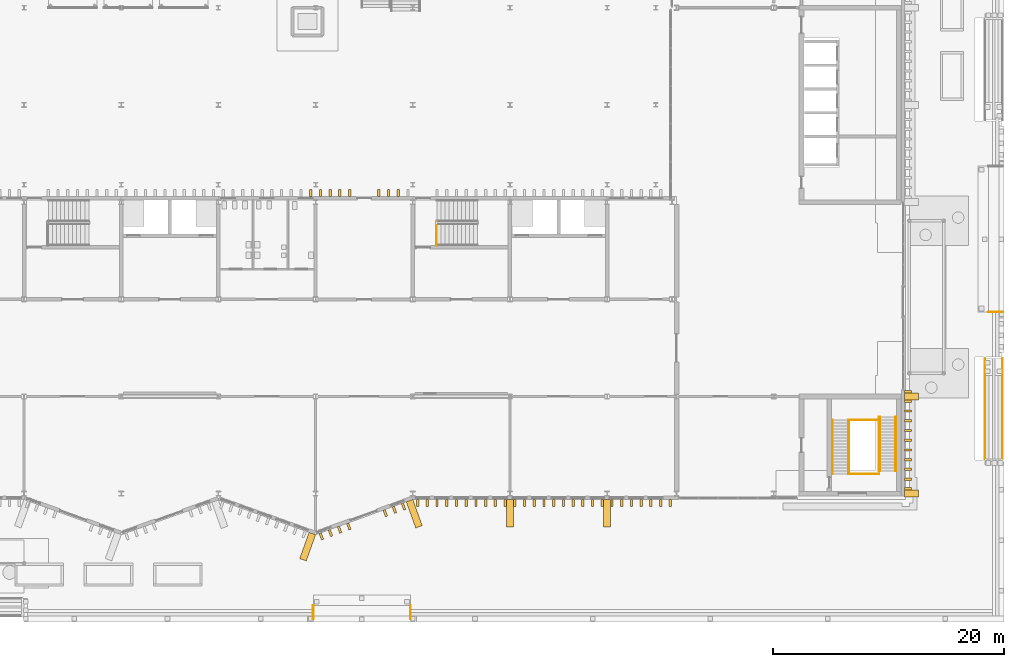
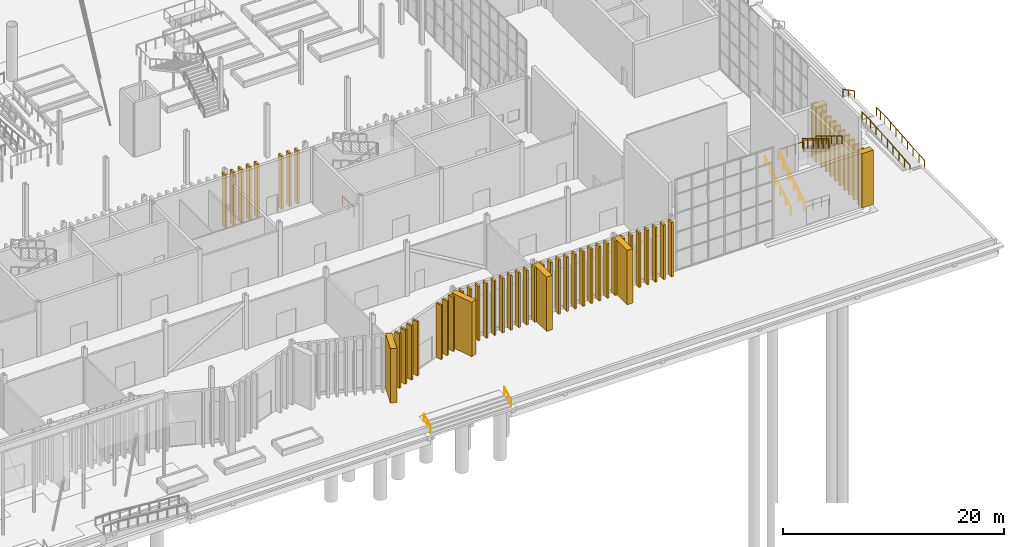
# One storey, part 99 of 108: 59 coverings, 14 railings.
"""IFC4 building model written with IfcOpenShell, lengths in metres."""

from ifc_helpers import new_model, si_unit, direction, frame, origin, origin_2d, place, context, subcontext, project, spatial, rectangle, circle, extrude, material, type_object, element, save


model = new_model("IFC4")

# Units and contexts
model_context = context("Model", 3, precision=1e-05, world=origin(), true_north=direction((0.0, 1.0)))
body_context = subcontext(model_context, "Body", "Model", "MODEL_VIEW")
ifc_project = project(units=[si_unit("LENGTHUNIT", "METRE"), si_unit("AREAUNIT", "SQUARE_METRE"), si_unit("VOLUMEUNIT", "CUBIC_METRE"), si_unit("PLANEANGLEUNIT", "RADIAN"), si_unit("MASSUNIT", "GRAM", prefix="KILO")], contexts=[model_context])

# Site, building, storey
site_placement = place(None, origin())
site = spatial("IfcSite", under=ifc_project, at=site_placement, CompositionType="ELEMENT")
building_placement = place(site_placement, origin())
building = spatial("IfcBuilding", under=site, at=building_placement, Name="Cresset Court Congress Hotel", CompositionType="ELEMENT")
storey_placement = place(building_placement, origin())
storey = spatial("IfcBuildingStorey", under=building, at=storey_placement, Name="L00", CompositionType="ELEMENT", Elevation=0.0)

# Railings
ifc_material_1 = material(Name="Steel and laminated glass", Category="steel")
railing_type_1 = type_object("IfcRailingType", Name="Guard 1100 steel and glass", PredefinedType="GUARDRAIL", material=ifc_material_1)
railing_1_placement = place(storey_placement, frame((136.449951171875, 21.449951171875, 0.0)))
element("IfcRailing", 1, at=railing_1_placement, inside=storey, type_object=railing_type_1, Name="L00 ST-B5 stair guard 9", PredefinedType="GUARDRAIL", context=body_context, shape_type="SweptSolid", body=[
    extrude(circle(Radius=0.02392578125, at=origin_2d()), frame((0.0, 0.0, 1.076171875), z_axis=(0.0, 1.0, 0.0), x_axis=(-1.0, 0.0, 0.0)), (0.0, 0.0, 1.0), 2.050048828125),
    extrude(circle(Radius=0.02099609375, at=origin_2d()), origin(), (0.0, 0.0, 1.0), 1.052001953125),
    extrude(circle(Radius=0.02099609375, at=origin_2d()), frame((0.0, 1.02490234375, 0.0)), (0.0, 0.0, 1.0), 1.052001953125),
    extrude(circle(Radius=0.02099609375, at=origin_2d()), frame((0.0, 2.050048828125, 0.0)), (0.0, 0.0, 1.0), 1.052001953125),
])
ifc_material_2 = material(Name="Stainless steel", Category="steel")
railing_type_2 = type_object("IfcRailingType", Name="Handrail 900 steel", PredefinedType="HANDRAIL", material=ifc_material_2)
for number, where, name in (
    (2, (125.800048828125, -10.85009765625, -0.60009765625), "Handrail S03L"),
    (3, (134.199951171875, -10.85009765625, -0.60009765625), "Handrail S03R"),
):
    element("IfcRailing", number, at=place(storey_placement, frame(where)), inside=storey, type_object=railing_type_2, Name=name, PredefinedType="HANDRAIL", context=body_context, shape_type="SweptSolid", body=[
        extrude(circle(Radius=0.02490234375, at=origin_2d()), frame((0.0, 0.0, 0.875), z_axis=(0.0, 0.894427191, 0.4472135955), x_axis=(-1.0, 0.0, 0.0)), (0.0, 0.0, 1.0), 1.341796875),
        extrude(circle(Radius=0.02001953125, at=origin_2d()), origin(), (0.0, 0.0, 1.0), 0.849853515625),
        extrude(circle(Radius=0.02001953125, at=origin_2d()), frame((0.0, 0.60009765625, 0.300048828125)), (0.0, 0.0, 1.0), 0.849853515625),
        extrude(circle(Radius=0.02001953125, at=origin_2d()), frame((0.0, 1.2001953125, 0.60009765625)), (0.0, 0.0, 1.0), 0.849853515625),
    ])
railing_2_placement = place(storey_placement, frame((185.35009765625, 15.699951171875, -0.60009765625)))
element("IfcRailing", 4, at=railing_2_placement, inside=storey, type_object=railing_type_2, Name="Handrail E01L", PredefinedType="HANDRAIL", context=body_context, shape_type="SweptSolid", body=[
    extrude(circle(Radius=0.02490234375, at=origin_2d()), frame((0.0, 0.0, 0.875), z_axis=(-0.894427191, 0.0, 0.4472135955), x_axis=(0.0, -1.0, 0.0)), (0.0, 0.0, 1.0), 1.341796875),
    extrude(circle(Radius=0.02001953125, at=origin_2d()), origin(), (0.0, 0.0, 1.0), 0.849853515625),
    extrude(circle(Radius=0.02001953125, at=origin_2d()), frame((-0.60009765625, 0.0, 0.300048828125)), (0.0, 0.0, 1.0), 0.849853515625),
    extrude(circle(Radius=0.02001953125, at=origin_2d()), frame((-1.2001953125, 0.0, 0.60009765625)), (0.0, 0.0, 1.0), 0.849853515625),
])
for number, where, name in (
    (5, (183.85009765625, 3.0, -0.60009765625), "Ramp handrail E01L"),
    (6, (185.35009765625, 3.0, -0.60009765625), "Ramp handrail E01R"),
):
    element("IfcRailing", number, at=place(storey_placement, frame(where)), inside=storey, type_object=railing_type_2, Name=name, PredefinedType="HANDRAIL", context=body_context, shape_type="SweptSolid", body=[
        extrude(circle(Radius=0.02490234375, at=origin_2d()), frame((0.0, 0.0, 0.875), z_axis=(0.0, 0.996544592923, 0.083059462528), x_axis=(-1.0, 0.0, 0.0)), (0.0, 0.0, 1.0), 7.224853515625),
        extrude(circle(Radius=0.02490234375, at=origin_2d()), frame((0.0, 7.199951171875, 1.47509765625), z_axis=(0.0, 1.0, 0.0), x_axis=(-1.0, 0.0, 0.0)), (0.0, 0.0, 1.0), 1.5),
        extrude(circle(Radius=0.02001953125, at=origin_2d()), origin(), (0.0, 0.0, 1.0), 0.849853515625),
        extrude(circle(Radius=0.02001953125, at=origin_2d()), frame((0.0, 1.028564453125, 0.085693359375)), (0.0, 0.0, 1.0), 0.849853515625),
        extrude(circle(Radius=0.02001953125, at=origin_2d()), frame((0.0, 2.05712890625, 0.17138671875)), (0.0, 0.0, 1.0), 0.849853515625),
        extrude(circle(Radius=0.02001953125, at=origin_2d()), frame((0.0, 3.085693359375, 0.257080078125)), (0.0, 0.0, 1.0), 0.849853515625),
        extrude(circle(Radius=0.02001953125, at=origin_2d()), frame((0.0, 4.1142578125, 0.343017578125)), (0.0, 0.0, 1.0), 0.849853515625),
        extrude(circle(Radius=0.02001953125, at=origin_2d()), frame((0.0, 5.142822265625, 0.4287109375)), (0.0, 0.0, 1.0), 0.849853515625),
        extrude(circle(Radius=0.02001953125, at=origin_2d()), frame((0.0, 6.17138671875, 0.514404296875)), (0.0, 0.0, 1.0), 0.849853515625),
        extrude(circle(Radius=0.02001953125, at=origin_2d()), frame((0.0, 7.199951171875, 0.60009765625)), (0.0, 0.0, 1.0), 0.849853515625),
        extrude(circle(Radius=0.02001953125, at=origin_2d()), frame((0.0, 7.949951171875, 0.60009765625)), (0.0, 0.0, 1.0), 0.849853515625),
        extrude(circle(Radius=0.02001953125, at=origin_2d()), frame((0.0, 8.699951171875, 0.60009765625)), (0.0, 0.0, 1.0), 0.849853515625),
    ])

# Coverings
ifc_material_3 = material(Name="Precast concrete C50", Category="concrete")
covering_type_1 = type_object("IfcCoveringType", Name="Precast stone fin 200x600", PredefinedType="CLADDING", material=ifc_material_3)
for number, where, z_axis, x_axis, name in (
    (7, (177.199951171875, 0.419921875, 0.0), (0.0, 0.0, 1.0), (1.0, 0.0, 0.0), "Fin E001"),
    (8, (177.199951171875, 1.260009765625, 0.0), (0.0, 0.0, 1.0), (1.0, 0.0, 0.0), "Fin E002"),
    (9, (177.199951171875, 2.10009765625, 0.0), (0.0, 0.0, 1.0), (1.0, 0.0, 0.0), "Fin E003"),
    (10, (177.199951171875, 2.93994140625, 0.0), (0.0, 0.0, 1.0), (1.0, 0.0, 0.0), "Fin E004"),
    (11, (177.199951171875, 3.780029296875, 0.0), (0.0, 0.0, 1.0), (1.0, 0.0, 0.0), "Fin E005"),
    (12, (177.199951171875, 4.6201171875, 0.0), (0.0, 0.0, 1.0), (1.0, 0.0, 0.0), "Fin E006"),
    (13, (177.199951171875, 5.4599609375, 0.0), (0.0, 0.0, 1.0), (1.0, 0.0, 0.0), "Fin E007"),
    (14, (177.199951171875, 6.300048828125, 0.0), (0.0, 0.0, 1.0), (1.0, 0.0, 0.0), "Fin E008"),
    (15, (177.199951171875, 7.139892578125, 0.0), (0.0, 0.0, 1.0), (1.0, 0.0, 0.0), "Fin E009"),
    (16, (177.199951171875, 7.97998046875, 0.0), (0.0, 0.0, 1.0), (1.0, 0.0, 0.0), "Fin E010"),
    (17, (177.199951171875, 8.820068359375, 0.0), (0.0, 0.0, 1.0), (1.0, 0.0, 0.0), "Fin E011"),
):
    element("IfcCovering", number, at=place(storey_placement, frame(where, z_axis=z_axis, x_axis=x_axis)), inside=storey, type_object=covering_type_1, Name=name, PredefinedType="CLADDING", context=body_context, shape_type="SweptSolid", body=[
        extrude(rectangle(XDim=0.60009765625, YDim=0.199951171875, at=origin_2d()), origin(), (0.0, 0.0, 1.0), 6.0),
    ])
ifc_material_4 = material(Name="Precast concrete C50", Category="concrete")
covering_type_2 = type_object("IfcCoveringType", Name="Precast stone fin 200x600 variant 1", PredefinedType="CLADDING", material=ifc_material_4)
for number, where, z_axis, x_axis, name in (
    (18, (126.4970703125, -3.688720703125, 0.0), (0.0, 0.0, 1.0), (0.939956783309, 0.341293488819, 0.0), "Fin S00-140"),
    (19, (127.28662109375, -3.40185546875, 0.0), (0.0, 0.0, 1.0), (0.939956783309, 0.341293488819, 0.0), "Fin S00-141"),
    (20, (128.076416015625, -3.115234375, 0.0), (0.0, 0.0, 1.0), (0.939956783309, 0.341293488819, 0.0), "Fin S00-142"),
    (21, (128.865966796875, -2.82861328125, 0.0), (0.0, 0.0, 1.0), (0.939956783309, 0.341293488819, 0.0), "Fin S00-143"),
    (22, (132.024169921875, -1.681884765625, 0.0), (0.0, 0.0, 1.0), (0.939956783309, 0.341293488819, 0.0), "Fin S00-147"),
    (23, (132.813720703125, -1.395263671875, 0.0), (0.0, 0.0, 1.0), (0.939956783309, 0.341293488819, 0.0), "Fin S00-148"),
    (24, (133.603271484375, -1.1083984375, 0.0), (0.0, 0.0, 1.0), (0.939956783309, 0.341293488819, 0.0), "Fin S00-149"),
    (25, (134.820068359375, -0.800048828125, 0.0), (0.0, 0.0, 1.0), (1.0, 0.0, 0.0), "Fin S00-150"),
    (26, (135.659912109375, -0.800048828125, 0.0), (0.0, 0.0, 1.0), (1.0, 0.0, 0.0), "Fin S00-151"),
    (27, (136.5, -0.800048828125, 0.0), (0.0, 0.0, 1.0), (1.0, 0.0, 0.0), "Fin S00-152"),
    (28, (137.340087890625, -0.800048828125, 0.0), (0.0, 0.0, 1.0), (1.0, 0.0, 0.0), "Fin S00-153"),
    (29, (138.179931640625, -0.800048828125, 0.0), (0.0, 0.0, 1.0), (1.0, 0.0, 0.0), "Fin S00-154"),
    (30, (139.02001953125, -0.800048828125, 0.0), (0.0, 0.0, 1.0), (1.0, 0.0, 0.0), "Fin S00-155"),
    (31, (139.860107421875, -0.800048828125, 0.0), (0.0, 0.0, 1.0), (1.0, 0.0, 0.0), "Fin S00-156"),
    (32, (140.699951171875, -0.800048828125, 0.0), (0.0, 0.0, 1.0), (1.0, 0.0, 0.0), "Fin S00-157"),
    (33, (141.5400390625, -0.800048828125, 0.0), (0.0, 0.0, 1.0), (1.0, 0.0, 0.0), "Fin S00-158"),
    (34, (142.3798828125, -0.800048828125, 0.0), (0.0, 0.0, 1.0), (1.0, 0.0, 0.0), "Fin S00-159"),
    (35, (143.219970703125, -0.800048828125, 0.0), (0.0, 0.0, 1.0), (1.0, 0.0, 0.0), "Fin S00-160"),
    (36, (144.06005859375, -0.800048828125, 0.0), (0.0, 0.0, 1.0), (1.0, 0.0, 0.0), "Fin S00-161"),
    (37, (144.89990234375, -0.800048828125, 0.0), (0.0, 0.0, 1.0), (1.0, 0.0, 0.0), "Fin S00-162"),
    (38, (145.739990234375, -0.800048828125, 0.0), (0.0, 0.0, 1.0), (1.0, 0.0, 0.0), "Fin S00-163"),
    (39, (146.580078125, -0.800048828125, 0.0), (0.0, 0.0, 1.0), (1.0, 0.0, 0.0), "Fin S00-164"),
    (40, (147.419921875, -0.800048828125, 0.0), (0.0, 0.0, 1.0), (1.0, 0.0, 0.0), "Fin S00-165"),
    (41, (148.260009765625, -0.800048828125, 0.0), (0.0, 0.0, 1.0), (1.0, 0.0, 0.0), "Fin S00-166"),
    (42, (149.10009765625, -0.800048828125, 0.0), (0.0, 0.0, 1.0), (1.0, 0.0, 0.0), "Fin S00-167"),
    (43, (149.93994140625, -0.800048828125, 0.0), (0.0, 0.0, 1.0), (1.0, 0.0, 0.0), "Fin S00-168"),
    (44, (150.780029296875, -0.800048828125, 0.0), (0.0, 0.0, 1.0), (1.0, 0.0, 0.0), "Fin S00-169"),
    (45, (151.6201171875, -0.800048828125, 0.0), (0.0, 0.0, 1.0), (1.0, 0.0, 0.0), "Fin S00-170"),
    (46, (152.4599609375, -0.800048828125, 0.0), (0.0, 0.0, 1.0), (1.0, 0.0, 0.0), "Fin S00-171"),
    (47, (153.300048828125, -0.800048828125, 0.0), (0.0, 0.0, 1.0), (1.0, 0.0, 0.0), "Fin S00-172"),
    (48, (154.139892578125, -0.800048828125, 0.0), (0.0, 0.0, 1.0), (1.0, 0.0, 0.0), "Fin S00-173"),
    (49, (154.97998046875, -0.800048828125, 0.0), (0.0, 0.0, 1.0), (1.0, 0.0, 0.0), "Fin S00-174"),
    (50, (155.820068359375, -0.800048828125, 0.0), (0.0, 0.0, 1.0), (1.0, 0.0, 0.0), "Fin S00-175"),
    (51, (156.659912109375, -0.800048828125, 0.0), (0.0, 0.0, 1.0), (1.0, 0.0, 0.0), "Fin S00-176"),
):
    element("IfcCovering", number, at=place(storey_placement, frame(where, z_axis=z_axis, x_axis=x_axis)), inside=storey, type_object=covering_type_2, Name=name, PredefinedType="CLADDING", context=body_context, shape_type="SweptSolid", body=[
        extrude(rectangle(XDim=0.199951171875, YDim=0.60009765625, at=origin_2d()), origin(), (0.0, 0.0, 1.0), 6.0),
    ])
for number, where, z_axis, x_axis, name in (
    (52, (125.580078125, 26.0, 0.0), (0.0, 0.0, 1.0), (1.0, 0.0, 0.0), "Fin N00-139"),
    (53, (126.419921875, 26.0, 0.0), (0.0, 0.0, 1.0), (1.0, 0.0, 0.0), "Fin N00-140"),
    (54, (127.260009765625, 26.0, 0.0), (0.0, 0.0, 1.0), (1.0, 0.0, 0.0), "Fin N00-141"),
    (55, (128.10009765625, 26.0, 0.0), (0.0, 0.0, 1.0), (1.0, 0.0, 0.0), "Fin N00-142"),
    (56, (128.93994140625, 26.0, 0.0), (0.0, 0.0, 1.0), (1.0, 0.0, 0.0), "Fin N00-143"),
    (57, (131.4599609375, 26.0, 0.0), (0.0, 0.0, 1.0), (1.0, 0.0, 0.0), "Fin N00-146"),
    (58, (132.300048828125, 26.0, 0.0), (0.0, 0.0, 1.0), (1.0, 0.0, 0.0), "Fin N00-147"),
    (59, (133.139892578125, 26.0, 0.0), (0.0, 0.0, 1.0), (1.0, 0.0, 0.0), "Fin N00-148"),
):
    element("IfcCovering", number, at=place(storey_placement, frame(where, z_axis=z_axis, x_axis=x_axis)), inside=storey, type_object=covering_type_2, Name=name, PredefinedType="CLADDING", context=body_context, shape_type="SweptSolid", body=[
        extrude(rectangle(XDim=0.199951171875, YDim=0.60009765625, at=origin_2d()), origin(), (0.0, 0.0, 1.0), 5.85009765625),
    ])
ifc_material_5 = material(Name="Precast concrete C50", Category="concrete")
covering_type_3 = type_object("IfcCoveringType", Name="Precast stone pier 600x1200", PredefinedType="CLADDING", material=ifc_material_5)
for number, where, z_axis, x_axis, name in (
    (60, (177.5, 0.0, 0.0), (0.0, 0.0, 1.0), (1.0, 0.0, 0.0), "Pier E01"),
    (61, (177.5, 8.39990234375, 0.0), (0.0, 0.0, 1.0), (1.0, 0.0, 0.0), "Pier E02"),
):
    element("IfcCovering", number, at=place(storey_placement, frame(where, z_axis=z_axis, x_axis=x_axis)), inside=storey, type_object=covering_type_3, Name=name, PredefinedType="CLADDING", context=body_context, shape_type="SweptSolid", body=[
        extrude(rectangle(XDim=1.199951171875, YDim=0.60009765625, at=origin_2d()), origin(), (0.0, 0.0, 1.0), 6.0),
    ])
ifc_material_6 = material(Name="Precast concrete C50", Category="concrete")
covering_type_4 = type_object("IfcCoveringType", Name="Precast stone pier 600x2400", PredefinedType="CLADDING", material=ifc_material_6)
for number, where, z_axis, x_axis, name in (
    (62, (125.31396484375, -4.5791015625, 0.0), (0.0, 0.0, 1.0), (0.94174205282, -0.336336001568, 0.0), "Pier S00-14"),
    (63, (134.527587890625, -1.730224609375, 0.0), (0.0, 0.0, 1.0), (0.939956783309, 0.341293488819, 0.0), "Pier S00-15"),
    (64, (142.800048828125, -1.699951171875, 0.0), (0.0, 0.0, 1.0), (1.0, 0.0, 0.0), "Pier S00-16"),
    (65, (151.199951171875, -1.699951171875, 0.0), (0.0, 0.0, 1.0), (1.0, 0.0, 0.0), "Pier S00-17"),
):
    element("IfcCovering", number, at=place(storey_placement, frame(where, z_axis=z_axis, x_axis=x_axis)), inside=storey, type_object=covering_type_4, Name=name, PredefinedType="CLADDING", context=body_context, shape_type="SweptSolid", body=[
        extrude(rectangle(XDim=0.60009765625, YDim=2.39990234375, at=origin_2d()), origin(), (0.0, 0.0, 1.0), 6.0),
    ])

# Railings
ifc_material_7 = material(Name="Stainless steel", Category="steel")
railing_type_3 = type_object("IfcRailingType", Name="Stair guard 1100", PredefinedType="GUARDRAIL", material=ifc_material_7)
railing_3_placement = place(storey_placement, frame((172.10009765625, 1.699951171875, 0.157958984375)))
element("IfcRailing", 66, at=railing_3_placement, inside=storey, type_object=railing_type_3, Name="Guard A1 L00", PredefinedType="GUARDRAIL", context=body_context, shape_type="SweptSolid", body=[
    extrude(circle(Radius=0.02392578125, at=origin_2d()), frame((0.0, 0.0, 1.076171875), z_axis=(0.0, 0.854734527071, 0.519065398802), x_axis=(-1.0, 0.0, 0.0)), (0.0, 0.0, 1.0), 5.475341796875),
    extrude(circle(Radius=0.02099609375, at=origin_2d()), origin(), (0.0, 0.0, 1.0), 1.052001953125),
    extrude(circle(Radius=0.02099609375, at=origin_2d()), frame((0.0, 0.93603515625, 0.568359375)), (0.0, 0.0, 1.0), 1.052001953125),
    extrude(circle(Radius=0.02099609375, at=origin_2d()), frame((0.0, 1.8720703125, 1.13671875)), (0.0, 0.0, 1.0), 1.052001953125),
    extrude(circle(Radius=0.02099609375, at=origin_2d()), frame((0.0, 2.807861328125, 1.705322265625)), (0.0, 0.0, 1.0), 1.052001953125),
    extrude(circle(Radius=0.02099609375, at=origin_2d()), frame((0.0, 3.743896484375, 2.273681640625)), (0.0, 0.0, 1.0), 1.052001953125),
    extrude(circle(Radius=0.02099609375, at=origin_2d()), frame((0.0, 4.679931640625, 2.842041015625)), (0.0, 0.0, 1.0), 1.052001953125),
])
railing_4_placement = place(storey_placement, frame((174.699951171875, 6.639892578125, 3.157958984375)))
element("IfcRailing", 67, at=railing_4_placement, inside=storey, type_object=railing_type_3, Name="Guard A1 L00", PredefinedType="GUARDRAIL", context=body_context, shape_type="SweptSolid", body=[
    extrude(circle(Radius=0.02392578125, at=origin_2d()), frame((0.0, 0.0, 1.076171875), z_axis=(0.0, -0.854734527071, 0.519065398802), x_axis=(1.0, 0.0, 0.0)), (0.0, 0.0, 1.0), 5.475341796875),
    extrude(circle(Radius=0.02099609375, at=origin_2d()), origin(), (0.0, 0.0, 1.0), 1.052001953125),
    extrude(circle(Radius=0.02099609375, at=origin_2d()), frame((0.0, -0.93603515625, 0.568359375)), (0.0, 0.0, 1.0), 1.052001953125),
    extrude(circle(Radius=0.02099609375, at=origin_2d()), frame((0.0, -1.8720703125, 1.13671875)), (0.0, 0.0, 1.0), 1.052001953125),
    extrude(circle(Radius=0.02099609375, at=origin_2d()), frame((0.0, -2.807861328125, 1.705322265625)), (0.0, 0.0, 1.0), 1.052001953125),
    extrude(circle(Radius=0.02099609375, at=origin_2d()), frame((0.0, -3.743896484375, 2.273681640625)), (0.0, 0.0, 1.0), 1.052001953125),
    extrude(circle(Radius=0.02099609375, at=origin_2d()), frame((0.0, -4.679931640625, 2.842041015625)), (0.0, 0.0, 1.0), 1.052001953125),
])
for number, where, name in (
    (68, (172.10009765625, 1.699951171875, 0.0), "Guard A1 L00"),
    (69, (172.10009765625, 6.3798828125, 3.0), "Guard A1 L00"),
):
    element("IfcRailing", number, at=place(storey_placement, frame(where)), inside=storey, type_object=railing_type_3, Name=name, PredefinedType="GUARDRAIL", context=body_context, shape_type="SweptSolid", body=[
        extrude(circle(Radius=0.02392578125, at=origin_2d()), frame((0.0, 0.0, 1.076171875), z_axis=(1.0, 0.0, 0.0), x_axis=(0.0, 1.0, 0.0)), (0.0, 0.0, 1.0), 2.599853515625),
        extrude(circle(Radius=0.02099609375, at=origin_2d()), origin(), (0.0, 0.0, 1.0), 1.052001953125),
        extrude(circle(Radius=0.02099609375, at=origin_2d()), frame((0.86669921875, 0.0, 0.0)), (0.0, 0.0, 1.0), 1.052001953125),
        extrude(circle(Radius=0.02099609375, at=origin_2d()), frame((1.733154296875, 0.0, 0.0)), (0.0, 0.0, 1.0), 1.052001953125),
        extrude(circle(Radius=0.02099609375, at=origin_2d()), frame((2.599853515625, 0.0, 0.0)), (0.0, 0.0, 1.0), 1.052001953125),
    ])
ifc_material_8 = material(Name="Stainless steel", Category="steel")
railing_type_4 = type_object("IfcRailingType", Name="Stair handrail 900", PredefinedType="HANDRAIL", material=ifc_material_8)
for number, where, name in (
    (70, (170.659912109375, 1.699951171875, 0.157958984375), "Handrail A1 L00"),
    (71, (172.0400390625, 1.699951171875, 0.157958984375), "Handrail A1 L00"),
):
    element("IfcRailing", number, at=place(storey_placement, frame(where)), inside=storey, type_object=railing_type_4, Name=name, PredefinedType="HANDRAIL", context=body_context, shape_type="SweptSolid", body=[
        extrude(circle(Radius=0.02392578125, at=origin_2d()), frame((0.0, 0.0, 0.8759765625), z_axis=(0.0, 0.854734527071, 0.519065398802), x_axis=(-1.0, 0.0, 0.0)), (0.0, 0.0, 1.0), 5.475341796875),
        extrude(circle(Radius=0.02099609375, at=origin_2d()), origin(), (0.0, 0.0, 1.0), 0.851806640625),
        extrude(circle(Radius=0.02099609375, at=origin_2d()), frame((0.0, 0.93603515625, 0.568359375)), (0.0, 0.0, 1.0), 0.851806640625),
        extrude(circle(Radius=0.02099609375, at=origin_2d()), frame((0.0, 1.8720703125, 1.13671875)), (0.0, 0.0, 1.0), 0.851806640625),
        extrude(circle(Radius=0.02099609375, at=origin_2d()), frame((0.0, 2.807861328125, 1.705322265625)), (0.0, 0.0, 1.0), 0.851806640625),
        extrude(circle(Radius=0.02099609375, at=origin_2d()), frame((0.0, 3.743896484375, 2.273681640625)), (0.0, 0.0, 1.0), 0.851806640625),
        extrude(circle(Radius=0.02099609375, at=origin_2d()), frame((0.0, 4.679931640625, 2.842041015625)), (0.0, 0.0, 1.0), 0.851806640625),
    ])
for number, where, name in (
    (72, (174.760009765625, 6.639892578125, 3.157958984375), "Handrail A1 L00"),
    (73, (176.139892578125, 6.639892578125, 3.157958984375), "Handrail A1 L00"),
):
    element("IfcRailing", number, at=place(storey_placement, frame(where)), inside=storey, type_object=railing_type_4, Name=name, PredefinedType="HANDRAIL", context=body_context, shape_type="SweptSolid", body=[
        extrude(circle(Radius=0.02392578125, at=origin_2d()), frame((0.0, 0.0, 0.8759765625), z_axis=(0.0, -0.854734527071, 0.519065398802), x_axis=(1.0, 0.0, 0.0)), (0.0, 0.0, 1.0), 5.475341796875),
        extrude(circle(Radius=0.02099609375, at=origin_2d()), origin(), (0.0, 0.0, 1.0), 0.851806640625),
        extrude(circle(Radius=0.02099609375, at=origin_2d()), frame((0.0, -0.93603515625, 0.568359375)), (0.0, 0.0, 1.0), 0.851806640625),
        extrude(circle(Radius=0.02099609375, at=origin_2d()), frame((0.0, -1.8720703125, 1.13671875)), (0.0, 0.0, 1.0), 0.851806640625),
        extrude(circle(Radius=0.02099609375, at=origin_2d()), frame((0.0, -2.807861328125, 1.705322265625)), (0.0, 0.0, 1.0), 0.851806640625),
        extrude(circle(Radius=0.02099609375, at=origin_2d()), frame((0.0, -3.743896484375, 2.273681640625)), (0.0, 0.0, 1.0), 0.851806640625),
        extrude(circle(Radius=0.02099609375, at=origin_2d()), frame((0.0, -4.679931640625, 2.842041015625)), (0.0, 0.0, 1.0), 0.851806640625),
    ])

save(model, "model.ifc")
